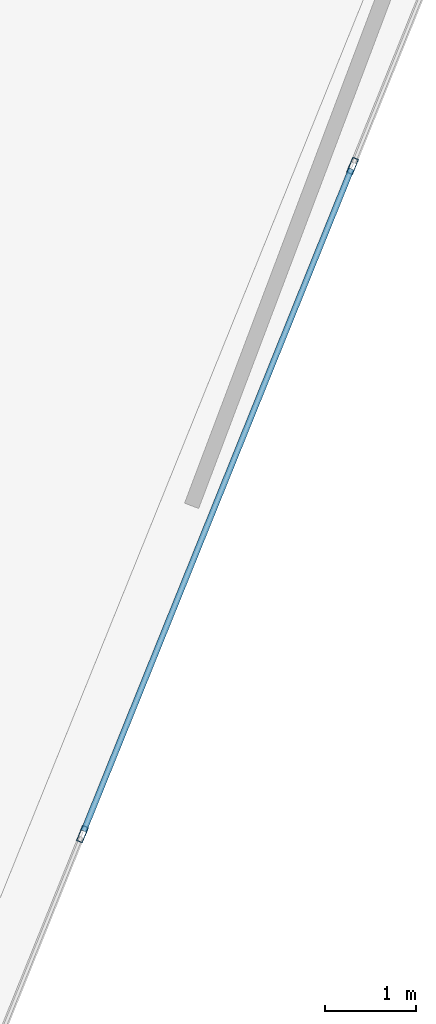
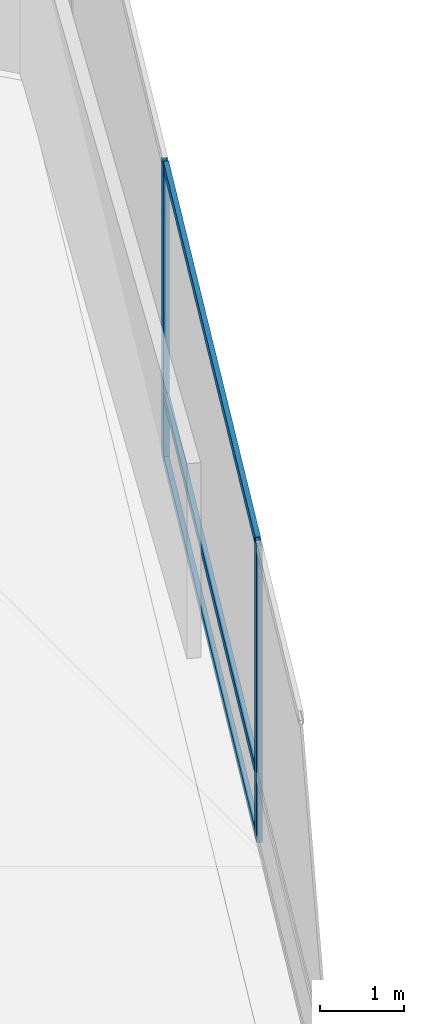
# One storey, part 10 of 17: 5 members, 1 element without a shape of its own.
"""IFC4 building model written with IfcOpenShell, lengths in metres."""

from ifc_helpers import new_model, si_unit, direction, frame, origin, origin_2d, place, context, subcontext, project, spatial, hollow_rectangle, extrude, material, layer, layer_set, material_profile, profile_set, type_object, element, aggregate, save


model = new_model("IFC4")

# Units and contexts
model_context = context("Model", 3, precision=1e-05, world=origin(), true_north=direction((0.0, 1.0)))
body_context = subcontext(model_context, "Body", "Model", "MODEL_VIEW")
ifc_project = project(units=[si_unit("LENGTHUNIT", "METRE"), si_unit("AREAUNIT", "SQUARE_METRE"), si_unit("VOLUMEUNIT", "CUBIC_METRE"), si_unit("PLANEANGLEUNIT", "RADIAN"), si_unit("MASSUNIT", "GRAM", prefix="KILO")], contexts=[model_context])

# Site, building, storey
site_placement = place(None, origin())
site = spatial("IfcSite", under=ifc_project, at=site_placement, CompositionType="ELEMENT")
building_placement = place(site_placement, origin())
building = spatial("IfcBuilding", under=site, at=building_placement, Name="Qianvela Tower", CompositionType="ELEMENT")
storey_placement = place(building_placement, frame((0.0, 0.0, 351.800048828125)))
storey = spatial("IfcBuildingStorey", under=building, at=storey_placement, Name="L91", CompositionType="ELEMENT", Elevation=351.800048828125)

# Curtain wall, members
ifc_material_1 = material(Name="Anodised Architectural Aluminium and Low-E Glass", Category="aluminium")
ifc_layer = layer(ifc_material_1, 0.18994140625)
ifc_layer_set = layer_set([ifc_layer], Name="Anodised Architectural Aluminium and Low-E Glass")
curtain_wall_type = type_object("IfcCurtainWallType", Name="CW-SKYLOBBY", PredefinedType="USERDEFINED", material=ifc_layer_set)
curtain_wall_placement = place(storey_placement, origin())
curtain_wall = element("IfcCurtainWall", 1, at=curtain_wall_placement, inside=storey, type_object=curtain_wall_type, Name="L91 CW-SKYLOBBY Curtain Wall 06", ObjectType="CURTAIN_WALL_SYSTEM", PredefinedType="USERDEFINED")
ifc_material_2 = material(Name="Anodised Architectural Aluminium 6063-T6", Category="aluminium")
ifc_material_profile_1 = material_profile(ifc_material_2, hollow_rectangle(XDim=0.070068359375, YDim=0.179931640625, WallThickness=0.0048828125, at=origin_2d()), Name="ALU-MULL-70x180")
ifc_profile_set_1 = profile_set([ifc_material_profile_1], Name="Anodised Architectural Aluminium 6063-T6")
member_type_1 = type_object("IfcMemberType", Name="CW-SKYLOBBY-MULL", PredefinedType="MULLION", material=ifc_profile_set_1)
member_1_placement = place(storey_placement, frame((51.234130859375, 29.695068359375, 0.0), z_axis=(0.0, 0.0, 1.0), x_axis=(-0.927091753568, 0.374834470756, 0.0)))
member_1 = element("IfcMember", 2, at=member_1_placement, type_object=member_type_1, Name="CW-7 mullion 4", PredefinedType="MULLION", context=body_context, shape_type="SweptSolid", body=[
    extrude(hollow_rectangle(XDim=0.070068359375, YDim=0.179931640625, WallThickness=0.0048828125, at=origin_2d()), origin(), (0.0, 0.0, 1.0), 4.300048828125),
])
member_2_placement = place(storey_placement, frame((54.200439453125, 37.03173828125, 0.0), z_axis=(0.0, 0.0, 1.0), x_axis=(-0.927091753568, 0.374834470756, 0.0)))
member_2 = element("IfcMember", 3, at=member_2_placement, type_object=member_type_1, Name="CW-7 mullion 5", PredefinedType="MULLION", context=body_context, shape_type="SweptSolid", body=[
    extrude(hollow_rectangle(XDim=0.070068359375, YDim=0.179931640625, WallThickness=0.0048828125, at=origin_2d()), origin(), (0.0, 0.0, 1.0), 4.300048828125),
])
ifc_material_3 = material(Name="Anodised Architectural Aluminium 6063-T6", Category="aluminium")
ifc_material_profile_2 = material_profile(ifc_material_3, hollow_rectangle(XDim=0.06494140625, YDim=0.1298828125, WallThickness=0.00439453125, at=origin_2d()), Name="ALU-TRAN-65x130")
ifc_profile_set_2 = profile_set([ifc_material_profile_2], Name="Anodised Architectural Aluminium 6063-T6")
member_type_2 = type_object("IfcMemberType", Name="CW-SKYLOBBY-TRAN", PredefinedType="USERDEFINED", material=ifc_profile_set_2)
member_3_placement = place(storey_placement, frame((51.247314453125, 29.7275390625, 0.032470703125), z_axis=(0.374822760153, 0.927096488221, 0.0), x_axis=(-0.927096488221, 0.374822760153, 0.0)))
member_3 = element("IfcMember", 4, at=member_3_placement, type_object=member_type_2, Name="CW-7 transom 4.1", ObjectType="TRANSOM", PredefinedType="USERDEFINED", context=body_context, shape_type="SweptSolid", body=[
    extrude(hollow_rectangle(XDim=0.06494140625, YDim=0.1298828125, WallThickness=0.00439453125, at=origin_2d()), origin(), (0.0, 0.0, 1.0), 7.843505859375),
])
member_4_placement = place(storey_placement, frame((51.247314453125, 29.7275390625, 0.949951171875), z_axis=(0.374822760153, 0.927096488221, 0.0), x_axis=(-0.927096488221, 0.374822760153, 0.0)))
member_4 = element("IfcMember", 5, at=member_4_placement, type_object=member_type_2, Name="CW-7 transom 4.2", ObjectType="TRANSOM", PredefinedType="USERDEFINED", context=body_context, shape_type="SweptSolid", body=[
    extrude(hollow_rectangle(XDim=0.06494140625, YDim=0.1298828125, WallThickness=0.00439453125, at=origin_2d()), origin(), (0.0, 0.0, 1.0), 7.843505859375),
])
member_5_placement = place(storey_placement, frame((51.247314453125, 29.7275390625, 4.267333984375), z_axis=(0.374822760153, 0.927096488221, 0.0), x_axis=(-0.927096488221, 0.374822760153, 0.0)))
member_5 = element("IfcMember", 6, at=member_5_placement, type_object=member_type_2, Name="CW-7 transom 4.3", ObjectType="TRANSOM", PredefinedType="USERDEFINED", context=body_context, shape_type="SweptSolid", body=[
    extrude(hollow_rectangle(XDim=0.06494140625, YDim=0.1298828125, WallThickness=0.00439453125, at=origin_2d()), origin(), (0.0, 0.0, 1.0), 7.843505859375),
])
aggregate(curtain_wall, [member_1, member_2, member_3, member_4, member_5])

save(model, "model.ifc")
